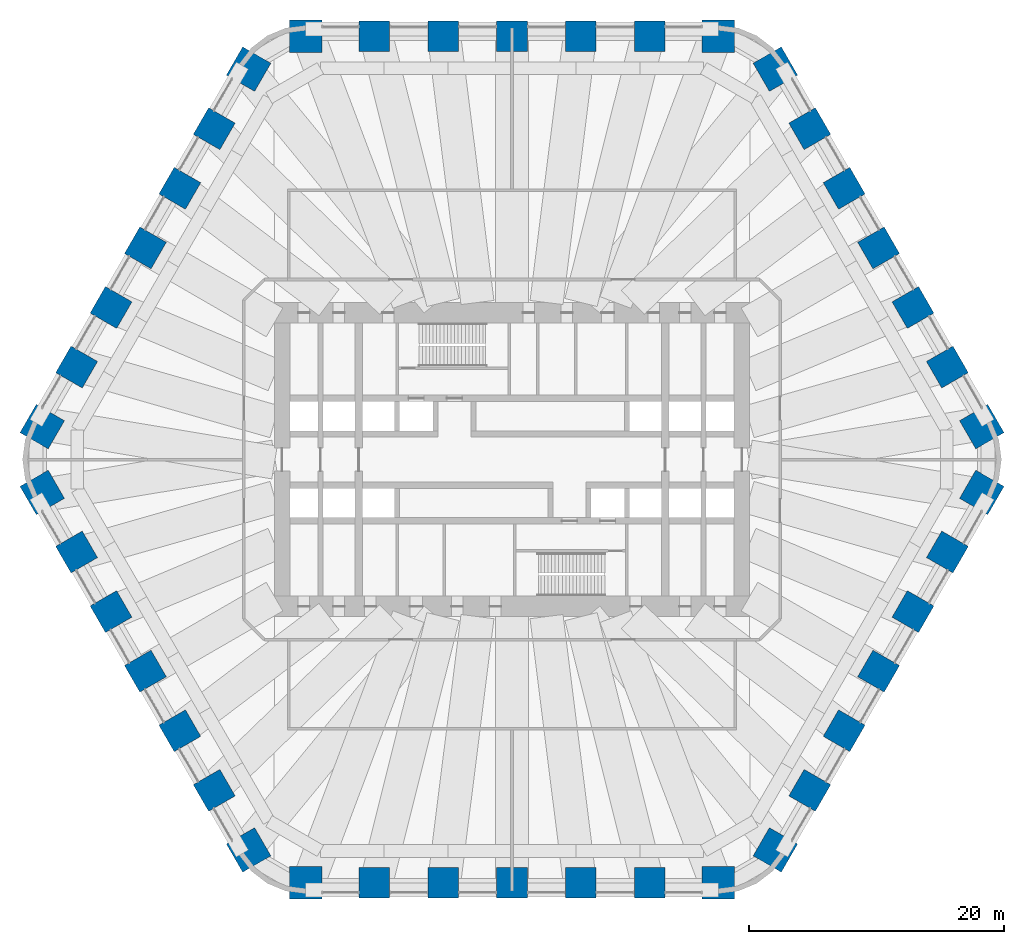
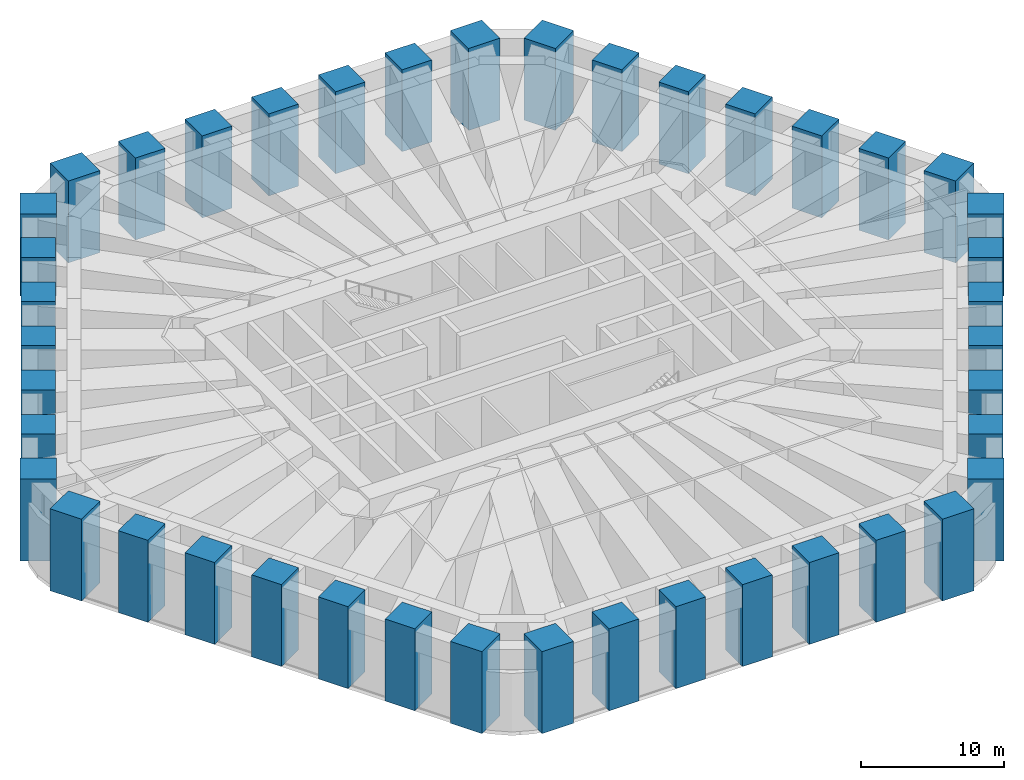
# One storey, part 1 of 17: 42 columns.
"""IFC4 building model written with IfcOpenShell, lengths in metres."""

from ifc_helpers import new_model, si_unit, direction, frame, origin, origin_2d, place, context, subcontext, project, spatial, rectangle, extrude, material, material_profile, profile_set, type_object, element, save


model = new_model("IFC4")

# Units and contexts
model_context = context("Model", 3, precision=1e-05, world=origin(), true_north=direction((0.0, 1.0)))
body_context = subcontext(model_context, "Body", "Model", "MODEL_VIEW")
ifc_project = project(units=[si_unit("LENGTHUNIT", "METRE"), si_unit("AREAUNIT", "SQUARE_METRE"), si_unit("VOLUMEUNIT", "CUBIC_METRE"), si_unit("PLANEANGLEUNIT", "RADIAN"), si_unit("MASSUNIT", "GRAM", prefix="KILO")], contexts=[model_context])

# Site, building, storey
site_placement = place(None, origin())
site = spatial("IfcSite", under=ifc_project, at=site_placement, CompositionType="ELEMENT")
building_placement = place(site_placement, origin())
building = spatial("IfcBuilding", under=site, at=building_placement, Name="Tarfa Lantern Tower", CompositionType="ELEMENT")
storey_placement = place(building_placement, frame((0.0, 0.0, 107.5)))
storey = spatial("IfcBuildingStorey", under=building, at=storey_placement, Name="L24", CompositionType="ELEMENT", Elevation=107.5)

# Columns
ifc_material = material(Name="Concrete C80/95", Category="concrete")
ifc_material_profile_1 = material_profile(ifc_material, rectangle(XDim=2.39990234375, YDim=2.39990234375, at=origin_2d()), Name="RC 2400x2400")
ifc_profile_set_1 = profile_set([ifc_material_profile_1], Name="Concrete C80/95")
column_type_1 = type_object("IfcColumnType", Name="TT1 RC 2400x2400", PredefinedType="COLUMN", material=ifc_profile_set_1)
for number, where, z_axis, x_axis, name in (
    (1, (34.097412109375, 7.24169921875, 0.0), (0.0, 0.0, 1.0), (-0.5, 0.866025403784, 0.0), "Tube column NE1"),
    (2, (31.403076171875, 11.908447265625, 0.0), (0.0, 0.0, 1.0), (-0.5, 0.866025403784, 0.0), "Tube column NE2"),
    (3, (28.708740234375, 16.574951171875, 0.0), (0.0, 0.0, 1.0), (-0.5, 0.866025403784, 0.0), "Tube column NE3"),
    (4, (26.014404296875, 21.24169921875, 0.0), (0.0, 0.0, 1.0), (-0.5, 0.866025403784, 0.0), "Tube column NE4"),
    (5, (23.320068359375, 25.908447265625, 0.0), (0.0, 0.0, 1.0), (-0.5, 0.866025403784, 0.0), "Tube column NE5"),
    (6, (10.777099609375, 33.14990234375, 0.0), (0.0, 0.0, 1.0), (-1.0, 0.0, 0.0), "Tube column N1"),
    (7, (5.388671875, 33.14990234375, 0.0), (0.0, 0.0, 1.0), (-1.0, 0.0, 0.0), "Tube column N2"),
    (8, (0.0, 33.14990234375, 0.0), (0.0, 0.0, 1.0), (-1.0, 0.0, 0.0), "Tube column N3"),
    (9, (-5.388671875, 33.14990234375, 0.0), (0.0, 0.0, 1.0), (-1.0, 0.0, 0.0), "Tube column N4"),
    (10, (-10.777099609375, 33.14990234375, 0.0), (0.0, 0.0, 1.0), (-1.0, 0.0, 0.0), "Tube column N5"),
    (11, (-23.320068359375, 25.908447265625, 0.0), (0.0, 0.0, 1.0), (-0.5, -0.866025403784, 0.0), "Tube column NW1"),
    (12, (-26.014404296875, 21.24169921875, 0.0), (0.0, 0.0, 1.0), (-0.5, -0.866025403784, 0.0), "Tube column NW2"),
    (13, (-28.708740234375, 16.574951171875, 0.0), (0.0, 0.0, 1.0), (-0.5, -0.866025403784, 0.0), "Tube column NW3"),
    (14, (-31.403076171875, 11.908447265625, 0.0), (0.0, 0.0, 1.0), (-0.5, -0.866025403784, 0.0), "Tube column NW4"),
    (15, (-34.097412109375, 7.24169921875, 0.0), (0.0, 0.0, 1.0), (-0.5, -0.866025403784, 0.0), "Tube column NW5"),
    (16, (-34.097412109375, -7.24169921875, 0.0), (0.0, 0.0, 1.0), (0.5, -0.866025403784, 0.0), "Tube column SW1"),
    (17, (-31.403076171875, -11.908447265625, 0.0), (0.0, 0.0, 1.0), (0.5, -0.866025403784, 0.0), "Tube column SW2"),
    (18, (-28.708740234375, -16.574951171875, 0.0), (0.0, 0.0, 1.0), (0.5, -0.866025403784, 0.0), "Tube column SW3"),
    (19, (-26.014404296875, -21.24169921875, 0.0), (0.0, 0.0, 1.0), (0.5, -0.866025403784, 0.0), "Tube column SW4"),
    (20, (-23.320068359375, -25.908447265625, 0.0), (0.0, 0.0, 1.0), (0.5, -0.866025403784, 0.0), "Tube column SW5"),
    (21, (-10.777099609375, -33.14990234375, 0.0), (0.0, 0.0, 1.0), (1.0, 0.0, 0.0), "Tube column S1"),
    (22, (-5.388671875, -33.14990234375, 0.0), (0.0, 0.0, 1.0), (1.0, 0.0, 0.0), "Tube column S2"),
    (23, (0.0, -33.14990234375, 0.0), (0.0, 0.0, 1.0), (1.0, 0.0, 0.0), "Tube column S3"),
    (24, (5.388671875, -33.14990234375, 0.0), (0.0, 0.0, 1.0), (1.0, 0.0, 0.0), "Tube column S4"),
    (25, (10.777099609375, -33.14990234375, 0.0), (0.0, 0.0, 1.0), (1.0, 0.0, 0.0), "Tube column S5"),
    (26, (23.320068359375, -25.908447265625, 0.0), (0.0, 0.0, 1.0), (0.5, 0.866025403784, 0.0), "Tube column SE1"),
    (27, (26.014404296875, -21.24169921875, 0.0), (0.0, 0.0, 1.0), (0.5, 0.866025403784, 0.0), "Tube column SE2"),
    (28, (28.708740234375, -16.574951171875, 0.0), (0.0, 0.0, 1.0), (0.5, 0.866025403784, 0.0), "Tube column SE3"),
    (29, (31.403076171875, -11.908447265625, 0.0), (0.0, 0.0, 1.0), (0.5, 0.866025403784, 0.0), "Tube column SE4"),
    (30, (34.097412109375, -7.24169921875, 0.0), (0.0, 0.0, 1.0), (0.5, 0.866025403784, 0.0), "Tube column SE5"),
):
    element("IfcColumn", number, at=place(storey_placement, frame(where, z_axis=z_axis, x_axis=x_axis)), inside=storey, type_object=column_type_1, Name=name, PredefinedType="COLUMN", context=body_context, shape_type="SweptSolid", body=[
        extrude(rectangle(XDim=2.39990234375, YDim=2.39990234375, at=origin_2d()), origin(), (0.0, 0.0, 1.0), 7.0),
    ])
ifc_material_profile_2 = material_profile(ifc_material, rectangle(XDim=2.550048828125, YDim=2.550048828125, at=origin_2d()), Name="RC 2550x2550")
ifc_profile_set_2 = profile_set([ifc_material_profile_2], Name="Concrete C80/95")
column_type_2 = type_object("IfcColumnType", Name="TT1C RC 2550x2550", PredefinedType="COLUMN", material=ifc_profile_set_2)
for number, where, z_axis, x_axis, name in (
    (31, (36.791748046875, 2.574951171875, 0.0), (0.0, 0.0, 1.0), (-0.5, 0.866025403784, 0.0), "Tube column NE0"),
    (32, (20.625732421875, 30.574951171875, 0.0), (0.0, 0.0, 1.0), (-0.5, 0.866025403784, 0.0), "Tube column NE6"),
    (33, (16.165771484375, 33.14990234375, 0.0), (0.0, 0.0, 1.0), (-1.0, 0.0, 0.0), "Tube column N0"),
    (34, (-16.165771484375, 33.14990234375, 0.0), (0.0, 0.0, 1.0), (-1.0, 0.0, 0.0), "Tube column N6"),
    (35, (-20.625732421875, 30.574951171875, 0.0), (0.0, 0.0, 1.0), (-0.5, -0.866025403784, 0.0), "Tube column NW0"),
    (36, (-36.791748046875, 2.574951171875, 0.0), (0.0, 0.0, 1.0), (-0.5, -0.866025403784, 0.0), "Tube column NW6"),
    (37, (-36.791748046875, -2.574951171875, 0.0), (0.0, 0.0, 1.0), (0.5, -0.866025403784, 0.0), "Tube column SW0"),
    (38, (-20.625732421875, -30.574951171875, 0.0), (0.0, 0.0, 1.0), (0.5, -0.866025403784, 0.0), "Tube column SW6"),
    (39, (-16.165771484375, -33.14990234375, 0.0), (0.0, 0.0, 1.0), (1.0, 0.0, 0.0), "Tube column S0"),
    (40, (16.165771484375, -33.14990234375, 0.0), (0.0, 0.0, 1.0), (1.0, 0.0, 0.0), "Tube column S6"),
    (41, (20.625732421875, -30.574951171875, 0.0), (0.0, 0.0, 1.0), (0.5, 0.866025403784, 0.0), "Tube column SE0"),
    (42, (36.791748046875, -2.574951171875, 0.0), (0.0, 0.0, 1.0), (0.5, 0.866025403784, 0.0), "Tube column SE6"),
):
    element("IfcColumn", number, at=place(storey_placement, frame(where, z_axis=z_axis, x_axis=x_axis)), inside=storey, type_object=column_type_2, Name=name, PredefinedType="COLUMN", context=body_context, shape_type="SweptSolid", body=[
        extrude(rectangle(XDim=2.550048828125, YDim=2.550048828125, at=origin_2d()), origin(), (0.0, 0.0, 1.0), 7.0),
    ])

save(model, "model.ifc")
